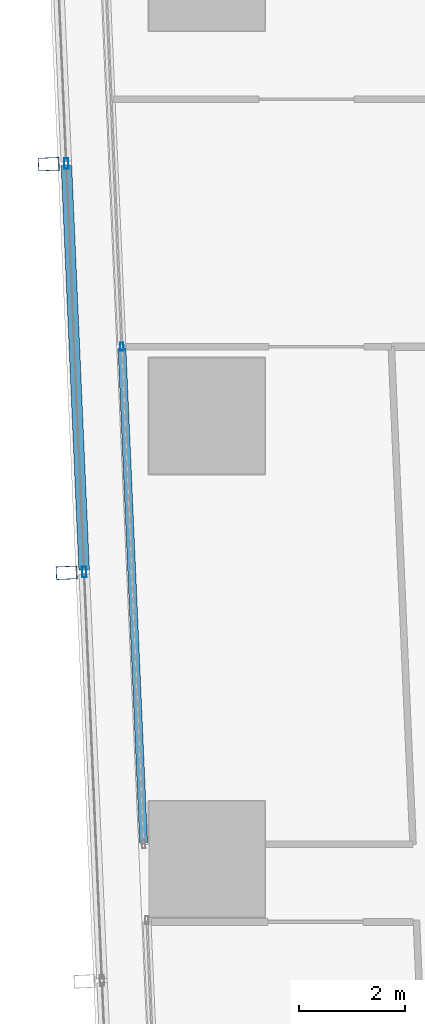
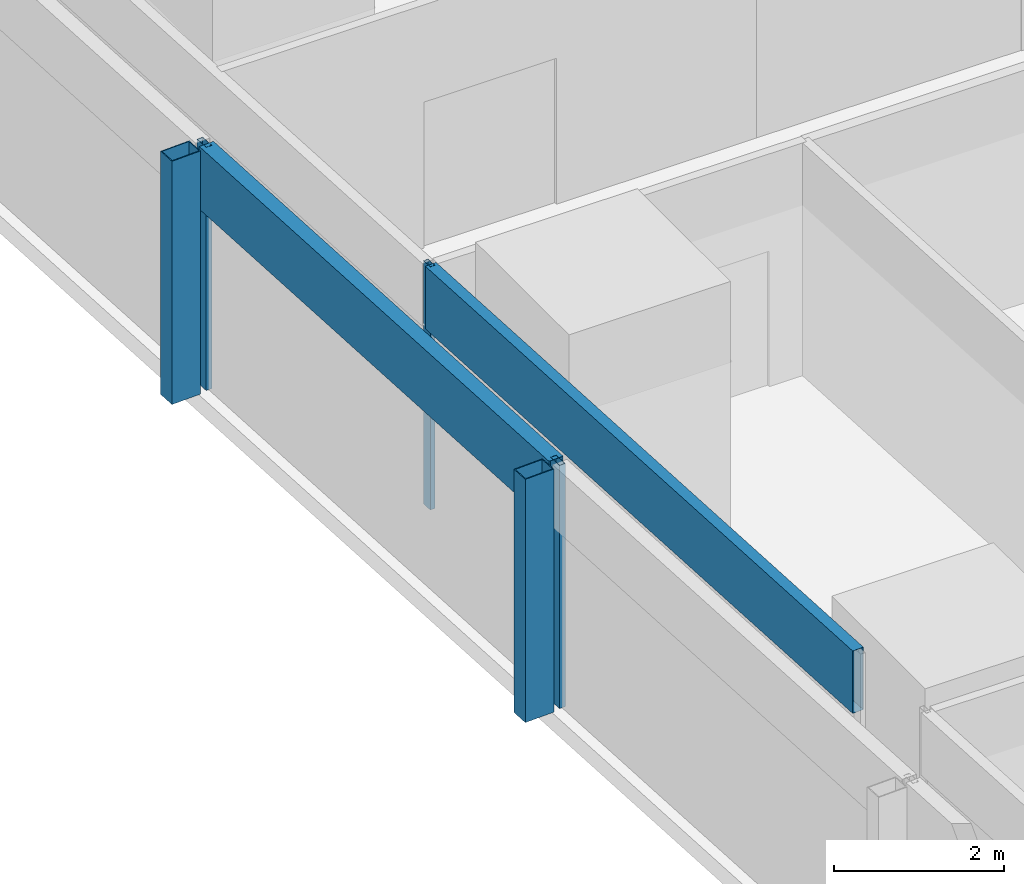
# One storey, part 7 of 44: 7 members, 2 elements without a shape of their own.
"""IFC4 building model written with IfcOpenShell, lengths in metres."""

from ifc_helpers import new_model, si_unit, direction, frame, origin, origin_2d, place, context, subcontext, project, spatial, hollow_rectangle, extrude, material, material_profile, profile_set, type_object, element, aggregate, save


model = new_model("IFC4")

# Units and contexts
model_context = context("Model", 3, precision=1e-05, world=origin(), true_north=direction((0.0, 1.0)))
body_context = subcontext(model_context, "Body", "Model", "MODEL_VIEW")
ifc_project = project(units=[si_unit("LENGTHUNIT", "METRE"), si_unit("AREAUNIT", "SQUARE_METRE"), si_unit("VOLUMEUNIT", "CUBIC_METRE"), si_unit("PLANEANGLEUNIT", "RADIAN"), si_unit("MASSUNIT", "GRAM", prefix="KILO")], contexts=[model_context])

# Site, building, storey
site_placement = place(None, origin())
site = spatial("IfcSite", under=ifc_project, at=site_placement, CompositionType="ELEMENT")
building_placement = place(site_placement, origin())
building = spatial("IfcBuilding", under=site, at=building_placement, Name="Rekha Terrace Tower", CompositionType="ELEMENT")
storey_placement = place(building_placement, frame((0.0, 0.0, 62.89990234375)))
storey = spatial("IfcBuildingStorey", under=building, at=storey_placement, Name="L15", CompositionType="ELEMENT", Elevation=62.89990234375)

# Curtain wall, members
ifc_material_1 = material(Name="Aluminium framing", Category="aluminium")
curtain_wall_type_1 = type_object("IfcCurtainWallType", Name="CW2 double skin outer glazing", PredefinedType="USERDEFINED", material=ifc_material_1)
curtain_wall_1_placement = place(storey_placement, origin())
curtain_wall_1 = element("IfcCurtainWall", 1, at=curtain_wall_1_placement, inside=storey, type_object=curtain_wall_type_1, Name="CW2 double skin outer glazing", ObjectType="DOUBLE SKIN OUTER GLAZING", PredefinedType="USERDEFINED")
ifc_material_2 = material(Name="Steel S355 with fluorocarbon finish", Category="steel")
ifc_material_profile_1 = material_profile(ifc_material_2, hollow_rectangle(XDim=0.25, YDim=0.39990234375, WallThickness=0.012451171875, at=origin_2d()), Name="RHS400x250x12.5")
ifc_profile_set_1 = profile_set([ifc_material_profile_1], Name="Steel S355 with fluorocarbon finish")
member_type_1 = type_object("IfcMemberType", Name="BL1 facade blade RHS 400 x 250", PredefinedType="USERDEFINED", material=ifc_profile_set_1)
member_1_placement = place(storey_placement, frame((5.40283203125, 29.97119140625, 0.0), z_axis=(0.0, 0.0, 1.0), x_axis=(0.04368215933, -0.999045478923, 0.0)))
member_1 = element("IfcMember", 2, at=member_1_placement, type_object=member_type_1, Name="Facade blade", ObjectType="FACADE BLADE", PredefinedType="USERDEFINED", context=body_context, shape_type="SweptSolid", body=[
    extrude(hollow_rectangle(XDim=0.25, YDim=0.39990234375, WallThickness=0.012451171875, at=origin_2d()), origin(), (0.0, 0.0, 1.0), 3.5),
])
member_2_placement = place(storey_placement, frame((5.74169921875, 22.226806640625, 0.0), z_axis=(0.0, 0.0, 1.0), x_axis=(0.04368215933, -0.999045478923, 0.0)))
member_2 = element("IfcMember", 3, at=member_2_placement, type_object=member_type_1, Name="Facade blade", ObjectType="FACADE BLADE", PredefinedType="USERDEFINED", context=body_context, shape_type="SweptSolid", body=[
    extrude(hollow_rectangle(XDim=0.25, YDim=0.39990234375, WallThickness=0.012451171875, at=origin_2d()), origin(), (0.0, 0.0, 1.0), 3.5),
])

curtain_wall_type_2 = type_object("IfcCurtainWallType", Name="CW1 double skin inner glazing", PredefinedType="USERDEFINED", material=ifc_material_1)
curtain_wall_2_placement = place(storey_placement, origin())
curtain_wall_2 = element("IfcCurtainWall", 4, at=curtain_wall_2_placement, inside=storey, type_object=curtain_wall_type_2, Name="CW1 double skin inner glazing", ObjectType="DOUBLE SKIN INNER GLAZING", PredefinedType="USERDEFINED")
ifc_material_3 = material(Name="Aluminium mullion section", Category="aluminium")
ifc_material_profile_2 = material_profile(ifc_material_3, hollow_rectangle(XDim=0.06494140625, YDim=0.14990234375, WallThickness=0.00390625, at=origin_2d()), Name="AL RHS 65x150")
ifc_profile_set_2 = profile_set([ifc_material_profile_2], Name="Aluminium mullion section")
member_type_2 = type_object("IfcMemberType", Name="CW1 mullion RHS 65 x 150", PredefinedType="MULLION", material=ifc_profile_set_2)
member_3_placement = place(storey_placement, frame((6.790283203125, 26.5126953125, 0.0), z_axis=(0.0, 0.0, 1.0), x_axis=(0.999045462133, 0.043682543337, 0.0)))
member_3 = element("IfcMember", 5, at=member_3_placement, type_object=member_type_2, Name="CW1 mullion 3", PredefinedType="MULLION", context=body_context, shape_type="SweptSolid", body=[
    extrude(hollow_rectangle(XDim=0.06494140625, YDim=0.14990234375, WallThickness=0.00390625, at=origin_2d()), origin(), (0.0, 0.0, 1.0), 3.5),
])
ifc_material_4 = material(Name="Insulated aluminium spandrel box", Category="aluminium")
ifc_material_profile_3 = material_profile(ifc_material_4, hollow_rectangle(XDim=0.14990234375, YDim=0.89990234375, WallThickness=0.0029296875, at=origin_2d()), Name="AL SPANDREL BOX 150x900")
ifc_profile_set_3 = profile_set([ifc_material_profile_3], Name="Insulated aluminium spandrel box")
member_type_3 = type_object("IfcMemberType", Name="CW1 spandrel transom 150 x 900", PredefinedType="USERDEFINED", material=ifc_profile_set_3)
member_4_placement = place(storey_placement, frame((6.791748046875, 26.480224609375, 3.050048828125), z_axis=(0.043688050697, -0.999045221312, 0.0), x_axis=(0.999045221312, 0.043688050697, 0.0)))
member_4 = element("IfcMember", 6, at=member_4_placement, type_object=member_type_3, Name="CW1 spandrel transom 3", ObjectType="TRANSOM", PredefinedType="USERDEFINED", context=body_context, shape_type="SweptSolid", body=[
    extrude(hollow_rectangle(XDim=0.14990234375, YDim=0.89990234375, WallThickness=0.0029296875, at=origin_2d()), origin(), (0.0, 0.0, 1.0), 9.377197265625),
])
aggregate(curtain_wall_2, [member_3, member_4])

# Member
ifc_material_profile_4 = material_profile(ifc_material_3, hollow_rectangle(XDim=0.080078125, YDim=0.199951171875, WallThickness=0.00390625, at=origin_2d()), Name="AL RHS 80x200")
ifc_profile_set_4 = profile_set([ifc_material_profile_4], Name="Aluminium mullion section")
member_type_4 = type_object("IfcMemberType", Name="CW2 mullion RHS 80 x 200", PredefinedType="MULLION", material=ifc_profile_set_4)
member_5_placement = place(storey_placement, frame((5.737548828125, 29.98583984375, 0.0), z_axis=(0.0, 0.0, 1.0), x_axis=(0.999045462131, 0.043682543372, 0.0)))
member_5 = element("IfcMember", 7, at=member_5_placement, type_object=member_type_4, Name="CW2 mullion 3", PredefinedType="MULLION", context=body_context, shape_type="SweptSolid", body=[
    extrude(hollow_rectangle(XDim=0.080078125, YDim=0.199951171875, WallThickness=0.00390625, at=origin_2d()), origin(), (0.0, 0.0, 1.0), 3.5),
])

member_6_placement = place(storey_placement, frame((6.076171875, 22.241455078125, 0.0), z_axis=(0.0, 0.0, 1.0), x_axis=(0.999045462131, 0.043682543372, 0.0)))
member_6 = element("IfcMember", 8, at=member_6_placement, type_object=member_type_4, Name="CW2 mullion 4", PredefinedType="MULLION", context=body_context, shape_type="SweptSolid", body=[
    extrude(hollow_rectangle(XDim=0.080078125, YDim=0.199951171875, WallThickness=0.00390625, at=origin_2d()), origin(), (0.0, 0.0, 1.0), 3.5),
])

ifc_material_profile_5 = material_profile(ifc_material_4, hollow_rectangle(XDim=0.199951171875, YDim=0.89990234375, WallThickness=0.0029296875, at=origin_2d()), Name="AL SPANDREL BOX 200x900")
ifc_profile_set_5 = profile_set([ifc_material_profile_5], Name="Insulated aluminium spandrel box")
member_type_5 = type_object("IfcMemberType", Name="CW2 spandrel transom 200 x 900", PredefinedType="USERDEFINED", material=ifc_profile_set_5)
member_7_placement = place(storey_placement, frame((5.7392578125, 29.94580078125, 3.050048828125), z_axis=(0.04369270591, -0.99904501773, 0.0), x_axis=(0.99904501773, 0.04369270591, 0.0)))
member_7 = element("IfcMember", 9, at=member_7_placement, type_object=member_type_5, Name="CW2 spandrel transom 3", ObjectType="TRANSOM", PredefinedType="USERDEFINED", context=body_context, shape_type="SweptSolid", body=[
    extrude(hollow_rectangle(XDim=0.199951171875, YDim=0.89990234375, WallThickness=0.0029296875, at=origin_2d()), origin(), (0.0, 0.0, 1.0), 7.671875),
])

aggregate(curtain_wall_1, [member_5, member_6, member_7, member_1, member_2])

save(model, "model.ifc")
